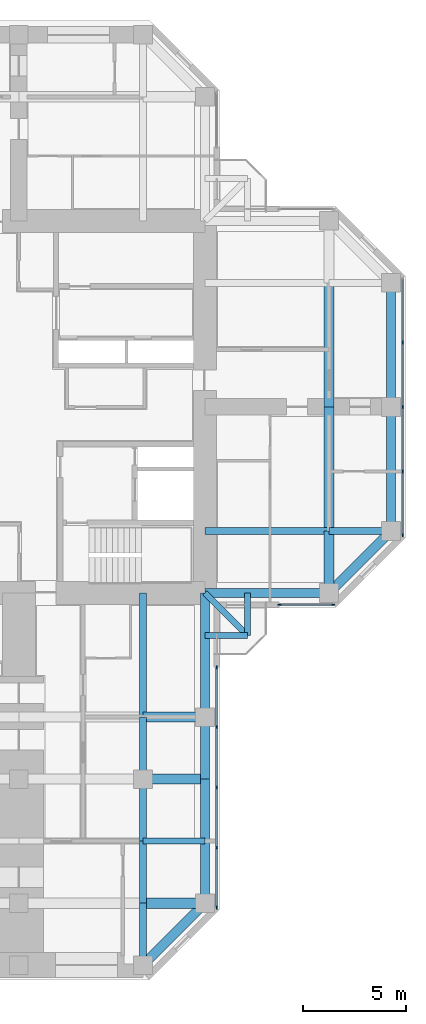
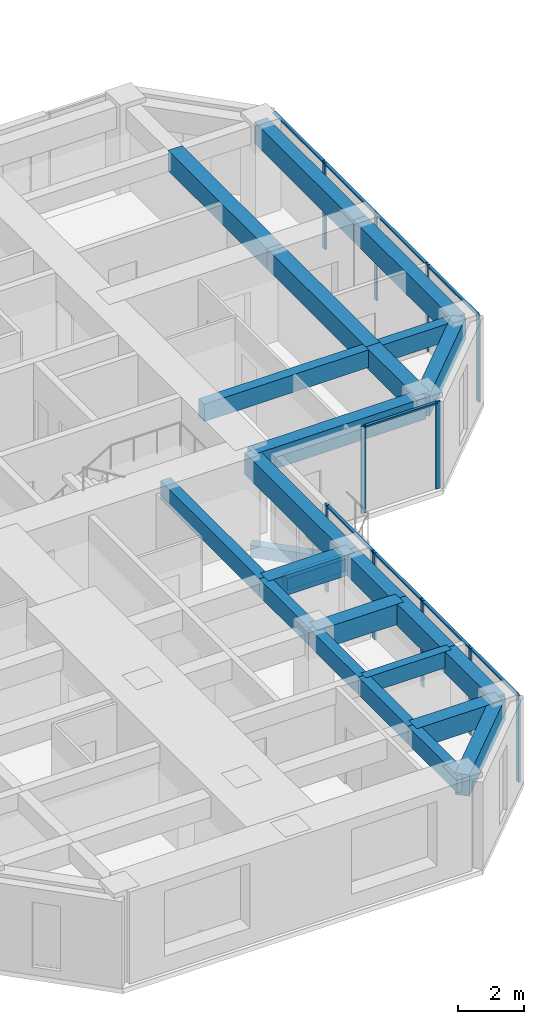
# One storey, part 4 of 14: 26 beams, 20 members, 3 elements without a shape of their own.
"""IFC4 building model written with IfcOpenShell, lengths in metres."""

import ifcopenshell
import ifcopenshell.guid

model = None  # the IFC model being written
_history = None  # IfcOwnerHistory: only IFC2X3 demands one
_inside = {}  # id of a spatial element -> (the spatial element, [elements in it])
_under = {}  # id of a project, library or spatial element -> (it, [spatial elements below it])
_declared = {}  # id of a project -> (the project, [libraries it declares])
_typed = {}  # id of a type object -> (the type object, [elements of that type])
_made_of = {}  # id of a material, layer set ... -> (it, [elements and type objects made of it])


def new_model(schema):
    """Start an empty IFC model of exactly this schema.

    Asked for "IFC4X3", IfcOpenShell would pick the latest addendum, in which some entities
    have other attributes; the version numbers below select the first issue.
    IFC2X3 requires an IfcOwnerHistory on every rooted entity: one is made here for all.
    """
    global model, _history
    if schema == "IFC4X3":
        model = ifcopenshell.file(schema_version=(4, 3, 0, 0))
    else:
        model = ifcopenshell.file(schema=schema)
    _inside.clear()
    _under.clear()
    _declared.clear()
    _typed.clear()
    _made_of.clear()
    _history = None
    if model.schema == "IFC2X3":
        org = make("IfcOrganization", Name="unknown")
        user = make(
            "IfcPersonAndOrganization",
            ThePerson=make("IfcPerson", FamilyName="unknown"),
            TheOrganization=org,
        )
        app = make(
            "IfcApplication",
            ApplicationDeveloper=org,
            Version="unknown",
            ApplicationFullName="unknown",
            ApplicationIdentifier="unknown",
        )
        _history = make(
            "IfcOwnerHistory",
            OwningUser=user,
            OwningApplication=app,
            ChangeAction="ADDED",
            CreationDate=0,
        )
    return model


def make(cls, **values):
    """One entity of the class cls with the attributes given. An attribute that is None is left unset."""
    return model.create_entity(
        cls, **{name: value for name, value in values.items() if value is not None}
    )


def rooted(cls, **values):
    """An entity with a GlobalId (a new one), such as an element, a storey or a relation."""
    return make(cls, GlobalId=ifcopenshell.guid.new(), OwnerHistory=_history, **values)


def si_unit(unit_type, name, prefix=None):
    """IfcSIUnit, for example si_unit("LENGTHUNIT", "METRE", prefix="MILLI")."""
    return make("IfcSIUnit", UnitType=unit_type, Prefix=prefix, Name=name)


def assignment(units):
    """IfcUnitAssignment: the units of a project."""
    return None if units is None else make("IfcUnitAssignment", Units=units)


def point(xyz):
    """IfcCartesianPoint."""
    return None if xyz is None else make("IfcCartesianPoint", Coordinates=xyz)


def direction(xyz):
    """IfcDirection."""
    return None if xyz is None else make("IfcDirection", DirectionRatios=xyz)


def frame(location, z_axis=None, x_axis=None):
    """IfcAxis2Placement3D, a coordinate frame: its origin and axes. An axis left out is left unset."""
    return make(
        "IfcAxis2Placement3D",
        Location=point(location),
        Axis=direction(z_axis),
        RefDirection=direction(x_axis),
    )


def frame_2d(location, x_axis=None):
    """IfcAxis2Placement2D, a coordinate frame in the plane: its origin and x axis."""
    return make(
        "IfcAxis2Placement2D", Location=point(location), RefDirection=direction(x_axis)
    )


def origin():
    """The frame at (0, 0, 0) with its axes left unset."""
    return frame((0.0, 0.0, 0.0))


def origin_2d():
    """The frame at (0, 0) in the plane with its x axis left unset."""
    return frame_2d((0.0, 0.0))


def place(relative_to, where):
    """IfcLocalPlacement: puts the frame where relative to a parent placement (None: the world)."""
    return make(
        "IfcLocalPlacement", PlacementRelTo=relative_to, RelativePlacement=where
    )


def context(
    kind, dimensions, precision=None, world=None, true_north=None, identifier=None
):
    """IfcGeometricRepresentationContext, for example the 3D "Model" context."""
    return make(
        "IfcGeometricRepresentationContext",
        ContextIdentifier=identifier,
        ContextType=kind,
        CoordinateSpaceDimension=dimensions,
        Precision=precision,
        WorldCoordinateSystem=world,
        TrueNorth=true_north,
    )


def subcontext(parent, identifier, kind, view, scale=None):
    """IfcGeometricRepresentationSubContext, for example "Body" below "Model"."""
    return make(
        "IfcGeometricRepresentationSubContext",
        ContextIdentifier=identifier,
        ContextType=kind,
        ParentContext=parent,
        TargetScale=scale,
        TargetView=view,
    )


def project(units=None, contexts=None):
    """IfcProject with its units and contexts."""
    return rooted(
        "IfcProject",
        Name="project",
        RepresentationContexts=contexts,
        UnitsInContext=assignment(units),
    )


def spatial(cls, under=None, at=None, **own):
    """A site, building, storey or space (cls), placed at a placement, below another one or the project."""
    s = rooted(cls, ObjectPlacement=at, **own)
    if under is not None:
        _under.setdefault(under.id(), (under, []))[1].append(s)
    return s


def profile(cls, at=None, kind="AREA", **sizes):
    """A parametric profile (cls). Its sizes go by their IFC names, for example OverallWidth=200.0."""
    return make(cls, ProfileType=kind, Position=at, **sizes)


def rectangle(**sizes):
    """IfcRectangleProfileDef."""
    return profile("IfcRectangleProfileDef", **sizes)


def extrude(swept, where, along, depth):
    """IfcExtrudedAreaSolid: the profile swept, set in the frame where, extruded along a direction by depth."""
    return make(
        "IfcExtrudedAreaSolid",
        SweptArea=swept,
        Position=where,
        ExtrudedDirection=direction(along),
        Depth=depth,
    )


def shape(context_of_items, identifier, shape_type, items):
    """IfcShapeRepresentation: the items that make up one representation, for example the "Body"."""
    return make(
        "IfcShapeRepresentation",
        ContextOfItems=context_of_items,
        RepresentationIdentifier=identifier,
        RepresentationType=shape_type,
        Items=items,
    )


def material(Name=None, Category=None):
    """IfcMaterial."""
    return make("IfcMaterial", Name=Name, Category=Category)


def material_profile(
    of_material, cross_section, Name=None, Category=None, Priority=None
):
    """IfcMaterialProfile: a cross section and its material."""
    return make(
        "IfcMaterialProfile",
        Name=Name,
        Material=of_material,
        Profile=cross_section,
        Priority=Priority,
        Category=Category,
    )


def profile_set(profiles, Name=None, composite=None):
    """IfcMaterialProfileSet."""
    return make(
        "IfcMaterialProfileSet",
        Name=Name,
        MaterialProfiles=profiles,
        CompositeProfile=composite,
    )


def made_of(thing, what):
    """Note that an element or type object is made of a material, layer set ...; save() writes the relation."""
    if what is not None:
        _made_of.setdefault(what.id(), (what, []))[1].append(thing)
    return thing


def type_object(cls, material=None, **own):
    """A type object (cls), such as IfcWallType, which elements share."""
    return made_of(rooted(cls, **own), material)


def element(
    cls,
    number,
    at=None,
    inside=None,
    cuts=None,
    type_object=None,
    material=None,
    context=None,
    identifier="Body",
    shape_type=None,
    held_by="IfcProductDefinitionShape",
    body=None,
    shapes=None,
    **own,
):
    """One element of the class cls, such as IfcWall. Its Tag is "e" and its number.

    at: its placement. inside: the storey or other place that contains it. cuts: it is an
    opening in that element (IfcRelVoidsElement). A single representation is given by context,
    identifier, shape_type and body (its items); several are given by shapes. held_by: the class
    of the entity that holds the representations. save() writes the other relations.
    """
    e = rooted(cls, Tag="e%d" % number, ObjectPlacement=at, **own)
    if body is not None:
        shapes = [shape(context, identifier, shape_type, body)]
    if shapes is not None:
        e.Representation = make(held_by, Representations=shapes)
    if inside is not None:
        _inside.setdefault(inside.id(), (inside, []))[1].append(e)
    if cuts is not None:
        rooted(
            "IfcRelVoidsElement", RelatingBuildingElement=cuts, RelatedOpeningElement=e
        )
    if type_object is not None:
        _typed.setdefault(type_object.id(), (type_object, []))[1].append(e)
    return made_of(e, material)


def aggregate(whole, parts):
    """IfcRelAggregates: a whole, such as a stair, and the parts it consists of."""
    return rooted("IfcRelAggregates", RelatingObject=whole, RelatedObjects=parts)


def save(model, path):
    """Write the relations noted so far, then the file.

    IfcRelAggregates (storeys below a building ...), IfcRelContainedInSpatialStructure (elements
    in a storey), IfcRelDefinesByType, IfcRelAssociatesMaterial and IfcRelDeclares: one each for
    every whole, place, type object, material and project.
    """
    for whole, parts in _under.values():
        aggregate(whole, parts)
    for where, things in _inside.values():
        rooted(
            "IfcRelContainedInSpatialStructure",
            RelatedElements=things,
            RelatingStructure=where,
        )
    for kind, things in _typed.values():
        rooted("IfcRelDefinesByType", RelatedObjects=things, RelatingType=kind)
    for what, things in _made_of.values():
        rooted("IfcRelAssociatesMaterial", RelatedObjects=things, RelatingMaterial=what)
    for by, libraries in _declared.values():
        rooted("IfcRelDeclares", RelatingContext=by, RelatedDefinitions=libraries)
    model.write(path)


model = new_model("IFC4")

# Units and contexts
model_context = context("Model", 3, precision=1e-05, world=origin(), true_north=direction((0.0, 1.0)))
body_context = subcontext(model_context, "Body", "Model", "MODEL_VIEW")
ifc_project = project(units=[si_unit("LENGTHUNIT", "METRE"), si_unit("AREAUNIT", "SQUARE_METRE"), si_unit("VOLUMEUNIT", "CUBIC_METRE"), si_unit("PLANEANGLEUNIT", "RADIAN"), si_unit("MASSUNIT", "GRAM", prefix="KILO")], contexts=[model_context])

# Site, building, storey
site_placement = place(None, origin())
site = spatial("IfcSite", under=ifc_project, at=site_placement, CompositionType="ELEMENT")
building_placement = place(site_placement, origin())
building = spatial("IfcBuilding", under=site, at=building_placement, Name="Torre Cruceta", CompositionType="ELEMENT")
storey_placement = place(building_placement, frame((0.0, 0.0, 206.89990234375)))
storey = spatial("IfcBuildingStorey", under=building, at=storey_placement, Name="L52", CompositionType="ELEMENT", Elevation=206.89990234375)

# Beams
ifc_material_1 = material(Name="Concrete G60 (fck 60 MPa)", Category="concrete")
ifc_material_profile_1 = material_profile(ifc_material_1, rectangle(XDim=0.300048828125, YDim=0.449951171875, at=origin_2d()), Name="RC 300X450")
ifc_profile_set_1 = profile_set([ifc_material_profile_1], Name="Concrete G60 (fck 60 MPa)")
beam_type_1 = type_object("IfcBeamType", Name="BALCONY CANTILEVER BEAM RC 300X450", PredefinedType="BEAM", material=ifc_profile_set_1)
beam_1_placement = place(storey_placement, frame((9.0, -9.0, -0.40478515625), z_axis=(0.707106781187, -0.707106781187, 0.0), x_axis=(0.707106781187, 0.707106781187, 0.0)))
element("IfcBeam", 1, at=beam_1_placement, inside=storey, type_object=beam_type_1, Name="BB1 balcony beam L52 S", PredefinedType="BEAM", context=body_context, shape_type="SweptSolid", body=[
    extrude(rectangle(XDim=0.300048828125, YDim=0.449951171875, at=origin_2d()), origin(), (0.0, 0.0, 1.0), 2.89990234375),
])
for number, where, z_axis, x_axis, name in (
    (2, (11.050537109375, -9.0, -0.40478515625), (0.0, -1.0, 0.0), (1.0, 0.0, 0.0), "BB1 balcony edge beam L52 S-X"),
    (3, (9.0, -11.050537109375, -0.40478515625), (1.0, 0.0, 0.0), (0.0, 1.0, 0.0), "BB1 balcony edge beam L52 S-Y"),
):
    element("IfcBeam", number, at=place(storey_placement, frame(where, z_axis=z_axis, x_axis=x_axis)), inside=storey, type_object=beam_type_1, Name=name, PredefinedType="BEAM", context=body_context, shape_type="SweptSolid", body=[
        extrude(rectangle(XDim=0.300048828125, YDim=0.449951171875, at=origin_2d()), origin(), (0.0, 0.0, 1.0), 2.050537109375),
    ])
ifc_material_2 = material(Name="Concrete G60 (fck 60 MPa)", Category="concrete")
ifc_material_profile_2 = material_profile(ifc_material_2, rectangle(XDim=0.35009765625, YDim=0.64990234375, at=origin_2d()), Name="RC 350X650")
ifc_profile_set_2 = profile_set([ifc_material_profile_2], Name="Concrete G60 (fck 60 MPa)")
beam_type_2 = type_object("IfcBeamType", Name="COLUMN LINE BEAM RC 350X650", PredefinedType="BEAM", material=ifc_profile_set_2)
beam_2_placement = place(storey_placement, frame((9.0, -6.0, 2.89501953125), z_axis=(1.0, 0.0, 0.0), x_axis=(0.0, 1.0, 0.0)))
element("IfcBeam", 4, at=beam_2_placement, inside=storey, type_object=beam_type_2, Name="LB7 L52 E col- 1", PredefinedType="BEAM", context=body_context, shape_type="SweptSolid", body=[
    extrude(rectangle(XDim=0.35009765625, YDim=0.64990234375, at=origin_2d()), origin(), (0.0, 0.0, 1.0), 6.0),
])
beam_3_placement = place(storey_placement, frame((15.0, -6.0, 2.89501953125), z_axis=(1.0, 0.0, 0.0), x_axis=(0.0, 1.0, 0.0)))
element("IfcBeam", 5, at=beam_3_placement, inside=storey, type_object=beam_type_2, Name="LB7 L52 E col- 2", PredefinedType="BEAM", context=body_context, shape_type="SweptSolid", body=[
    extrude(rectangle(XDim=0.35009765625, YDim=0.64990234375, at=origin_2d()), origin(), (0.0, 0.0, 1.0), 3.0),
])
beam_4_placement = place(storey_placement, frame((6.0, -9.0, 2.89501953125), z_axis=(0.0, -1.0, 0.0), x_axis=(1.0, 0.0, 0.0)))
element("IfcBeam", 6, at=beam_4_placement, inside=storey, type_object=beam_type_2, Name="LB7 L52 S col+ 1", PredefinedType="BEAM", context=body_context, shape_type="SweptSolid", body=[
    extrude(rectangle(XDim=0.35009765625, YDim=0.64990234375, at=origin_2d()), origin(), (0.0, 0.0, 1.0), 6.0),
])
for number, where, z_axis, x_axis, name in (
    (7, (6.0, -15.0, 2.89501953125), (0.0, -1.0, 0.0), (1.0, 0.0, 0.0), "LB7 L52 S col+ 2"),
    (8, (6.0, -18.0, 2.89501953125), (0.0, -1.0, 0.0), (1.0, 0.0, 0.0), "LB7 L52 S col+ 3"),
    (9, (6.0, -21.0, 2.89501953125), (0.0, -1.0, 0.0), (1.0, 0.0, 0.0), "LB7 L52 S col+ 4"),
    (10, (6.0, -24.0, 2.89501953125), (0.0, -1.0, 0.0), (1.0, 0.0, 0.0), "LB7 L52 S col+ 5"),
):
    element("IfcBeam", number, at=place(storey_placement, frame(where, z_axis=z_axis, x_axis=x_axis)), inside=storey, type_object=beam_type_2, Name=name, PredefinedType="BEAM", context=body_context, shape_type="SweptSolid", body=[
        extrude(rectangle(XDim=0.35009765625, YDim=0.64990234375, at=origin_2d()), origin(), (0.0, 0.0, 1.0), 3.0),
    ])
ifc_material_3 = material(Name="Concrete G60 (fck 60 MPa)", Category="concrete")
ifc_material_profile_3 = material_profile(ifc_material_3, rectangle(XDim=0.5, YDim=0.75, at=origin_2d()), Name="RC 500X750")
ifc_profile_set_3 = profile_set([ifc_material_profile_3], Name="Concrete G60 (fck 60 MPa)")
beam_type_3 = type_object("IfcBeamType", Name="CROSS BEAM RC 500X750", PredefinedType="BEAM", material=ifc_profile_set_3)
beam_5_placement = place(storey_placement, frame((15.0, -9.0, 2.84521484375), z_axis=(0.0, 1.0, 0.0), x_axis=(-1.0, 0.0, 0.0)))
element("IfcBeam", 11, at=beam_5_placement, inside=storey, type_object=beam_type_3, Name="GB6 L52 E cross15 1", PredefinedType="BEAM", context=body_context, shape_type="SweptSolid", body=[
    extrude(rectangle(XDim=0.5, YDim=0.75, at=origin_2d()), origin(), (0.0, 0.0, 1.0), 3.0),
])
for number, where, z_axis, x_axis, name in (
    (12, (15.0, -6.0, 2.84521484375), (0.0, 1.0, 0.0), (-1.0, 0.0, 0.0), "GB6 L52 E cross15 2"),
    (13, (15.0, 0.0, 2.84521484375), (0.0, 1.0, 0.0), (-1.0, 0.0, 0.0), "GB6 L52 E cross15 3"),
):
    element("IfcBeam", number, at=place(storey_placement, frame(where, z_axis=z_axis, x_axis=x_axis)), inside=storey, type_object=beam_type_3, Name=name, PredefinedType="BEAM", context=body_context, shape_type="SweptSolid", body=[
        extrude(rectangle(XDim=0.5, YDim=0.75, at=origin_2d()), origin(), (0.0, 0.0, 1.0), 6.0),
    ])
for number, where, z_axis, x_axis, name in (
    (14, (6.0, -15.0, 2.84521484375), (1.0, 0.0, 0.0), (0.0, 1.0, 0.0), "GB6 L52 S cross15 4"),
    (15, (6.0, -18.0, 2.84521484375), (1.0, 0.0, 0.0), (0.0, 1.0, 0.0), "GB6 L52 S cross18 4"),
    (16, (6.0, -24.0, 2.84521484375), (1.0, 0.0, 0.0), (0.0, 1.0, 0.0), "GB6 L52 S cross24 4"),
):
    element("IfcBeam", number, at=place(storey_placement, frame(where, z_axis=z_axis, x_axis=x_axis)), inside=storey, type_object=beam_type_3, Name=name, PredefinedType="BEAM", context=body_context, shape_type="SweptSolid", body=[
        extrude(rectangle(XDim=0.5, YDim=0.75, at=origin_2d()), origin(), (0.0, 0.0, 1.0), 3.0),
    ])

# Curtain wall, members
ifc_material_4 = material(Name="Aluminium unitised curtain wall", Category="aluminium")
curtain_wall_type = type_object("IfcCurtainWallType", Name="CURTAIN WALL CW-C CO-LIVING", PredefinedType="USERDEFINED", material=ifc_material_4)
curtain_wall_1_placement = place(storey_placement, origin())
curtain_wall_1 = element("IfcCurtainWall", 17, at=curtain_wall_1_placement, inside=storey, type_object=curtain_wall_type, Name="CW-C L52 E side 00", ObjectType="UNITISED", PredefinedType="USERDEFINED")
ifc_material_5 = material(Name="Aluminium mullion", Category="aluminium")
ifc_material_profile_4 = material_profile(ifc_material_5, rectangle(XDim=0.06005859375, YDim=0.159912109375, at=origin_2d()), Name="AL 60X160")
ifc_profile_set_4 = profile_set([ifc_material_profile_4], Name="Aluminium mullion")
member_type_1 = type_object("IfcMemberType", Name="CW-C MULLION 60X160", PredefinedType="MULLION", material=ifc_profile_set_4)
member_1_placement = place(storey_placement, frame((12.60009765625, -9.570068359375, 0.0), z_axis=(0.0, 0.0, 1.0), x_axis=(0.0, 1.0, 0.0)))
member_1 = element("IfcMember", 18, at=member_1_placement, type_object=member_type_1, Name="CW-C mullion 1", PredefinedType="MULLION", context=body_context, shape_type="SweptSolid", body=[
    extrude(rectangle(XDim=0.06005859375, YDim=0.159912109375, at=origin_2d()), origin(), (0.0, 0.0, 1.0), 3.22021484375),
])
member_2_placement = place(storey_placement, frame((15.2060546875, -9.570068359375, 0.0), z_axis=(0.0, 0.0, 1.0), x_axis=(0.0, 1.0, 0.0)))
member_2 = element("IfcMember", 19, at=member_2_placement, type_object=member_type_1, Name="CW-C mullion 2", PredefinedType="MULLION", context=body_context, shape_type="SweptSolid", body=[
    extrude(rectangle(XDim=0.06005859375, YDim=0.159912109375, at=origin_2d()), origin(), (0.0, 0.0, 1.0), 3.22021484375),
])

curtain_wall_2_placement = place(storey_placement, origin())
curtain_wall_2 = element("IfcCurtainWall", 20, at=curtain_wall_2_placement, inside=storey, type_object=curtain_wall_type, Name="CW-C L52 E tip 02", ObjectType="UNITISED", PredefinedType="USERDEFINED")
member_3_placement = place(storey_placement, frame((18.570068359375, -6.2060546875, 0.0), z_axis=(0.0, 0.0, 1.0), x_axis=(-1.0, 0.0, 0.0)))
member_3 = element("IfcMember", 21, at=member_3_placement, type_object=member_type_1, Name="CW-C mullion 1", PredefinedType="MULLION", context=body_context, shape_type="SweptSolid", body=[
    extrude(rectangle(XDim=0.06005859375, YDim=0.159912109375, at=origin_2d()), origin(), (0.0, 0.0, 1.0), 3.22021484375),
])
member_4_placement = place(storey_placement, frame((18.570068359375, -3.1181640625, 0.0), z_axis=(0.0, 0.0, 1.0), x_axis=(-1.0, 0.0, 0.0)))
member_4 = element("IfcMember", 22, at=member_4_placement, type_object=member_type_1, Name="CW-C mullion 2", PredefinedType="MULLION", context=body_context, shape_type="SweptSolid", body=[
    extrude(rectangle(XDim=0.06005859375, YDim=0.159912109375, at=origin_2d()), origin(), (0.0, 0.0, 1.0), 3.22021484375),
])
member_5_placement = place(storey_placement, frame((18.570068359375, 0.0, 0.0), z_axis=(0.0, 0.0, 1.0), x_axis=(-1.0, 0.0, 0.0)))
member_5 = element("IfcMember", 23, at=member_5_placement, type_object=member_type_1, Name="CW-C mullion 3", PredefinedType="MULLION", context=body_context, shape_type="SweptSolid", body=[
    extrude(rectangle(XDim=0.06005859375, YDim=0.159912109375, at=origin_2d()), origin(), (0.0, 0.0, 1.0), 3.22021484375),
])
member_6_placement = place(storey_placement, frame((18.570068359375, 3.1181640625, 0.0), z_axis=(0.0, 0.0, 1.0), x_axis=(-1.0, 0.0, 0.0)))
member_6 = element("IfcMember", 24, at=member_6_placement, type_object=member_type_1, Name="CW-C mullion 4", PredefinedType="MULLION", context=body_context, shape_type="SweptSolid", body=[
    extrude(rectangle(XDim=0.06005859375, YDim=0.159912109375, at=origin_2d()), origin(), (0.0, 0.0, 1.0), 3.22021484375),
])

curtain_wall_3_placement = place(storey_placement, origin())
curtain_wall_3 = element("IfcCurtainWall", 25, at=curtain_wall_3_placement, inside=storey, type_object=curtain_wall_type, Name="CW-C L52 S side 19", ObjectType="UNITISED", PredefinedType="USERDEFINED")
member_7_placement = place(storey_placement, frame((9.570068359375, -24.2060546875, 0.0), z_axis=(0.0, 0.0, 1.0), x_axis=(-1.0, 0.0, 0.0)))
member_7 = element("IfcMember", 26, at=member_7_placement, type_object=member_type_1, Name="CW-C mullion 1", PredefinedType="MULLION", context=body_context, shape_type="SweptSolid", body=[
    extrude(rectangle(XDim=0.06005859375, YDim=0.159912109375, at=origin_2d()), origin(), (0.0, 0.0, 1.0), 3.22021484375),
])
member_8_placement = place(storey_placement, frame((9.570068359375, -21.319580078125, 0.0), z_axis=(0.0, 0.0, 1.0), x_axis=(-1.0, 0.0, 0.0)))
member_8 = element("IfcMember", 27, at=member_8_placement, type_object=member_type_1, Name="CW-C mullion 2", PredefinedType="MULLION", context=body_context, shape_type="SweptSolid", body=[
    extrude(rectangle(XDim=0.06005859375, YDim=0.159912109375, at=origin_2d()), origin(), (0.0, 0.0, 1.0), 3.22021484375),
])
member_9_placement = place(storey_placement, frame((9.570068359375, -18.403076171875, 0.0), z_axis=(0.0, 0.0, 1.0), x_axis=(-1.0, 0.0, 0.0)))
member_9 = element("IfcMember", 28, at=member_9_placement, type_object=member_type_1, Name="CW-C mullion 3", PredefinedType="MULLION", context=body_context, shape_type="SweptSolid", body=[
    extrude(rectangle(XDim=0.06005859375, YDim=0.159912109375, at=origin_2d()), origin(), (0.0, 0.0, 1.0), 3.22021484375),
])
member_10_placement = place(storey_placement, frame((9.570068359375, -15.486572265625, 0.0), z_axis=(0.0, 0.0, 1.0), x_axis=(-1.0, 0.0, 0.0)))
member_10 = element("IfcMember", 29, at=member_10_placement, type_object=member_type_1, Name="CW-C mullion 4", PredefinedType="MULLION", context=body_context, shape_type="SweptSolid", body=[
    extrude(rectangle(XDim=0.06005859375, YDim=0.159912109375, at=origin_2d()), origin(), (0.0, 0.0, 1.0), 3.22021484375),
])
member_11_placement = place(storey_placement, frame((9.570068359375, -12.60009765625, 0.0), z_axis=(0.0, 0.0, 1.0), x_axis=(-1.0, 0.0, 0.0)))
member_11 = element("IfcMember", 30, at=member_11_placement, type_object=member_type_1, Name="CW-C mullion 5", PredefinedType="MULLION", context=body_context, shape_type="SweptSolid", body=[
    extrude(rectangle(XDim=0.06005859375, YDim=0.159912109375, at=origin_2d()), origin(), (0.0, 0.0, 1.0), 3.22021484375),
])

# Member
ifc_material_6 = material(Name="Aluminium transom", Category="aluminium")
ifc_material_profile_5 = material_profile(ifc_material_6, rectangle(XDim=0.10009765625, YDim=0.06005859375, at=origin_2d()), Name="AL 100X60")
ifc_profile_set_5 = profile_set([ifc_material_profile_5], Name="Aluminium transom")
member_type_2 = type_object("IfcMemberType", Name="CW-C TRANSOM 60X100", PredefinedType="USERDEFINED", material=ifc_profile_set_5)
member_12_placement = place(storey_placement, frame((12.6298828125, -9.570068359375, 3.190185546875), z_axis=(1.0, 0.0, 0.0), x_axis=(0.0, 1.0, 0.0)))
member_12 = element("IfcMember", 31, at=member_12_placement, type_object=member_type_2, Name="CW-C transom 1", ObjectType="TRANSOM", PredefinedType="USERDEFINED", context=body_context, shape_type="SweptSolid", body=[
    extrude(rectangle(XDim=0.10009765625, YDim=0.06005859375, at=origin_2d()), origin(), (0.0, 0.0, 1.0), 2.546142578125),
])

aggregate(curtain_wall_1, [member_1, member_2, member_12])

member_13_placement = place(storey_placement, frame((18.570068359375, -6.176025390625, 3.190185546875), z_axis=(0.0, 1.0, 0.0), x_axis=(-1.0, 0.0, 0.0)))
member_13 = element("IfcMember", 32, at=member_13_placement, type_object=member_type_2, Name="CW-C transom 1", ObjectType="TRANSOM", PredefinedType="USERDEFINED", context=body_context, shape_type="SweptSolid", body=[
    extrude(rectangle(XDim=0.10009765625, YDim=0.06005859375, at=origin_2d()), origin(), (0.0, 0.0, 1.0), 3.028076171875),
])

member_14_placement = place(storey_placement, frame((18.570068359375, -3.088134765625, 3.190185546875), z_axis=(0.0, 1.0, 0.0), x_axis=(-1.0, 0.0, 0.0)))
member_14 = element("IfcMember", 33, at=member_14_placement, type_object=member_type_2, Name="CW-C transom 2", ObjectType="TRANSOM", PredefinedType="USERDEFINED", context=body_context, shape_type="SweptSolid", body=[
    extrude(rectangle(XDim=0.10009765625, YDim=0.06005859375, at=origin_2d()), origin(), (0.0, 0.0, 1.0), 3.05810546875),
])

member_15_placement = place(storey_placement, frame((18.570068359375, 0.030029296875, 3.190185546875), z_axis=(0.0, 1.0, 0.0), x_axis=(-1.0, 0.0, 0.0)))
member_15 = element("IfcMember", 34, at=member_15_placement, type_object=member_type_2, Name="CW-C transom 3", ObjectType="TRANSOM", PredefinedType="USERDEFINED", context=body_context, shape_type="SweptSolid", body=[
    extrude(rectangle(XDim=0.10009765625, YDim=0.06005859375, at=origin_2d()), origin(), (0.0, 0.0, 1.0), 3.05810546875),
])

member_16_placement = place(storey_placement, frame((18.570068359375, 3.14794921875, 3.190185546875), z_axis=(0.0, 1.0, 0.0), x_axis=(-1.0, 0.0, 0.0)))
member_16 = element("IfcMember", 35, at=member_16_placement, type_object=member_type_2, Name="CW-C transom 4", ObjectType="TRANSOM", PredefinedType="USERDEFINED", context=body_context, shape_type="SweptSolid", body=[
    extrude(rectangle(XDim=0.10009765625, YDim=0.06005859375, at=origin_2d()), origin(), (0.0, 0.0, 1.0), 3.028076171875),
])

aggregate(curtain_wall_2, [member_3, member_4, member_5, member_6, member_13, member_14, member_15, member_16])

member_17_placement = place(storey_placement, frame((9.570068359375, -24.176025390625, 3.190185546875), z_axis=(0.0, 1.0, 0.0), x_axis=(-1.0, 0.0, 0.0)))
member_17 = element("IfcMember", 36, at=member_17_placement, type_object=member_type_2, Name="CW-C transom 1", ObjectType="TRANSOM", PredefinedType="USERDEFINED", context=body_context, shape_type="SweptSolid", body=[
    extrude(rectangle(XDim=0.10009765625, YDim=0.06005859375, at=origin_2d()), origin(), (0.0, 0.0, 1.0), 2.826416015625),
])

member_18_placement = place(storey_placement, frame((9.570068359375, -21.28955078125, 3.190185546875), z_axis=(0.0, 1.0, 0.0), x_axis=(-1.0, 0.0, 0.0)))
member_18 = element("IfcMember", 37, at=member_18_placement, type_object=member_type_2, Name="CW-C transom 2", ObjectType="TRANSOM", PredefinedType="USERDEFINED", context=body_context, shape_type="SweptSolid", body=[
    extrude(rectangle(XDim=0.10009765625, YDim=0.06005859375, at=origin_2d()), origin(), (0.0, 0.0, 1.0), 2.8564453125),
])

member_19_placement = place(storey_placement, frame((9.570068359375, -18.373046875, 3.190185546875), z_axis=(0.0, 1.0, 0.0), x_axis=(-1.0, 0.0, 0.0)))
member_19 = element("IfcMember", 38, at=member_19_placement, type_object=member_type_2, Name="CW-C transom 3", ObjectType="TRANSOM", PredefinedType="USERDEFINED", context=body_context, shape_type="SweptSolid", body=[
    extrude(rectangle(XDim=0.10009765625, YDim=0.06005859375, at=origin_2d()), origin(), (0.0, 0.0, 1.0), 2.8564453125),
])

member_20_placement = place(storey_placement, frame((9.570068359375, -15.45654296875, 3.190185546875), z_axis=(0.0, 1.0, 0.0), x_axis=(-1.0, 0.0, 0.0)))
member_20 = element("IfcMember", 39, at=member_20_placement, type_object=member_type_2, Name="CW-C transom 4", ObjectType="TRANSOM", PredefinedType="USERDEFINED", context=body_context, shape_type="SweptSolid", body=[
    extrude(rectangle(XDim=0.10009765625, YDim=0.06005859375, at=origin_2d()), origin(), (0.0, 0.0, 1.0), 2.82666015625),
])

aggregate(curtain_wall_3, [member_7, member_8, member_9, member_10, member_11, member_17, member_18, member_19, member_20])

# Beams
ifc_material_7 = material(Name="Concrete G60 (fck 60 MPa)", Category="concrete")
ifc_material_profile_6 = material_profile(ifc_material_7, rectangle(XDim=0.300048828125, YDim=0.60009765625, at=origin_2d()), Name="RC 300X600")
ifc_profile_set_6 = profile_set([ifc_material_profile_6], Name="Concrete G60 (fck 60 MPa)")
beam_type_4 = type_object("IfcBeamType", Name="SECONDARY BEAM RC 300X600", PredefinedType="JOIST", material=ifc_profile_set_6)
beam_6_placement = place(storey_placement, frame((6.0, -21.0, 2.920166015625), z_axis=(1.0, 0.0, 0.0), x_axis=(0.0, 1.0, 0.0)))
element("IfcBeam", 40, at=beam_6_placement, inside=storey, type_object=beam_type_4, Name="JB6 L52 S sec21 4", PredefinedType="JOIST", context=body_context, shape_type="SweptSolid", body=[
    extrude(rectangle(XDim=0.300048828125, YDim=0.60009765625, at=origin_2d()), origin(), (0.0, 0.0, 1.0), 3.0),
])
ifc_material_8 = material(Name="Concrete G60 (fck 60 MPa)", Category="concrete")
ifc_material_profile_7 = material_profile(ifc_material_8, rectangle(XDim=0.449951171875, YDim=0.800048828125, at=origin_2d()), Name="RC 450X800")
ifc_profile_set_7 = profile_set([ifc_material_profile_7], Name="Concrete G60 (fck 60 MPa)")
beam_type_5 = type_object("IfcBeamType", Name="SPANDREL BEAM RC 450X800", PredefinedType="SPANDREL", material=ifc_profile_set_7)
beam_7_placement = place(storey_placement, frame((9.0, -9.0, 2.820068359375), z_axis=(1.0, 0.0, 0.0), x_axis=(0.0, 1.0, 0.0)))
element("IfcBeam", 41, at=beam_7_placement, inside=storey, type_object=beam_type_5, Name="SB6 L52 E side- 1", PredefinedType="SPANDREL", context=body_context, shape_type="SweptSolid", body=[
    extrude(rectangle(XDim=0.449951171875, YDim=0.800048828125, at=origin_2d()), origin(), (0.0, 0.0, 1.0), 6.0),
])
beam_8_placement = place(storey_placement, frame((15.0, -9.0, 2.820068359375), z_axis=(0.707106781187, 0.707106781187, 0.0), x_axis=(-0.707106781187, 0.707106781187, 0.0)))
element("IfcBeam", 42, at=beam_8_placement, inside=storey, type_object=beam_type_5, Name="SB6 L52 E side- 2", PredefinedType="SPANDREL", context=body_context, shape_type="SweptSolid", body=[
    extrude(rectangle(XDim=0.449951171875, YDim=0.800048828125, at=origin_2d()), origin(), (0.0, 0.0, 1.0), 4.24267578125),
])
for number, where, z_axis, x_axis, name in (
    (43, (18.0, -6.0, 2.820068359375), (0.0, 1.0, 0.0), (-1.0, 0.0, 0.0), "SB6 L52 E tip 1"),
    (44, (18.0, 0.0, 2.820068359375), (0.0, 1.0, 0.0), (-1.0, 0.0, 0.0), "SB6 L52 E tip 2"),
    (45, (9.0, -9.0, 2.820068359375), (0.0, -1.0, 0.0), (1.0, 0.0, 0.0), "SB6 L52 S side+ 1"),
):
    element("IfcBeam", number, at=place(storey_placement, frame(where, z_axis=z_axis, x_axis=x_axis)), inside=storey, type_object=beam_type_5, Name=name, PredefinedType="SPANDREL", context=body_context, shape_type="SweptSolid", body=[
        extrude(rectangle(XDim=0.449951171875, YDim=0.800048828125, at=origin_2d()), origin(), (0.0, 0.0, 1.0), 6.0),
    ])
for number, where, z_axis, x_axis, name in (
    (46, (9.0, -15.0, 2.820068359375), (0.0, -1.0, 0.0), (1.0, 0.0, 0.0), "SB6 L52 S side+ 2"),
    (47, (9.0, -18.0, 2.820068359375), (0.0, -1.0, 0.0), (1.0, 0.0, 0.0), "SB6 L52 S side+ 3"),
    (48, (9.0, -21.0, 2.820068359375), (0.0, -1.0, 0.0), (1.0, 0.0, 0.0), "SB6 L52 S side+ 4"),
):
    element("IfcBeam", number, at=place(storey_placement, frame(where, z_axis=z_axis, x_axis=x_axis)), inside=storey, type_object=beam_type_5, Name=name, PredefinedType="SPANDREL", context=body_context, shape_type="SweptSolid", body=[
        extrude(rectangle(XDim=0.449951171875, YDim=0.800048828125, at=origin_2d()), origin(), (0.0, 0.0, 1.0), 3.0),
    ])
beam_9_placement = place(storey_placement, frame((9.0, -24.0, 2.820068359375), z_axis=(-0.707106781187, -0.707106781187, 0.0), x_axis=(0.707106781187, -0.707106781187, 0.0)))
element("IfcBeam", 49, at=beam_9_placement, inside=storey, type_object=beam_type_5, Name="SB6 L52 S side+ 5", PredefinedType="SPANDREL", context=body_context, shape_type="SweptSolid", body=[
    extrude(rectangle(XDim=0.449951171875, YDim=0.800048828125, at=origin_2d()), origin(), (0.0, 0.0, 1.0), 4.24267578125),
])

save(model, "model.ifc")
